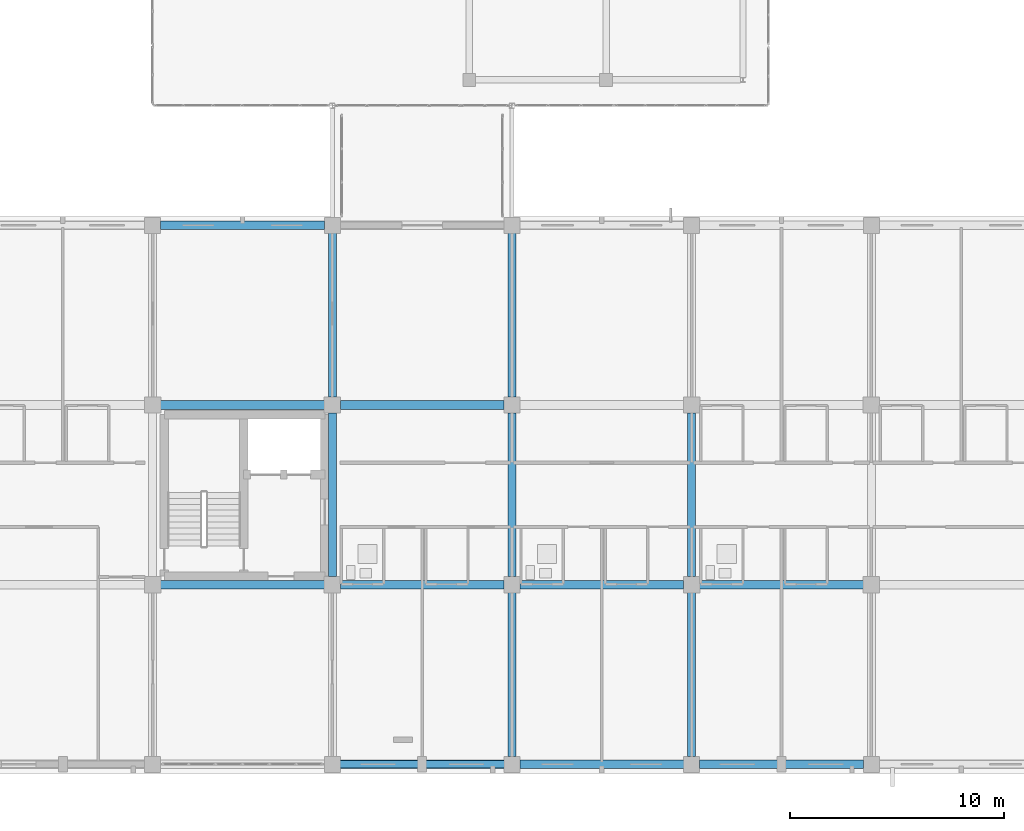
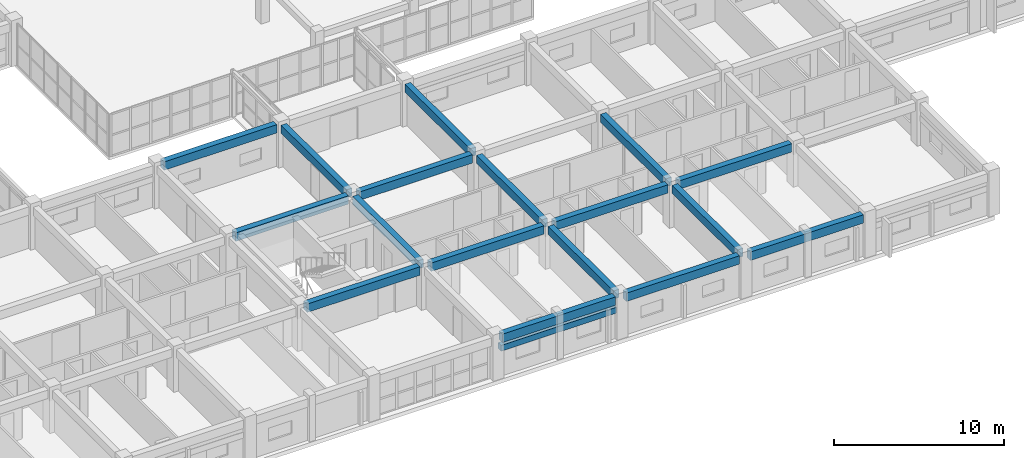
# One storey, part 53 of 200: 18 beams.
"""IFC4 building model written with IfcOpenShell, lengths in metres."""

from ifc_helpers import new_model, si_unit, direction, frame, origin, origin_2d, place, context, subcontext, project, spatial, rectangle, extrude, material, material_profile, profile_set, type_object, element, save


model = new_model("IFC4")

# Units and contexts
model_context = context("Model", 3, precision=1e-05, world=origin(), true_north=direction((0.0, 1.0)))
body_context = subcontext(model_context, "Body", "Model", "MODEL_VIEW")
ifc_project = project(units=[si_unit("LENGTHUNIT", "METRE"), si_unit("AREAUNIT", "SQUARE_METRE"), si_unit("VOLUMEUNIT", "CUBIC_METRE"), si_unit("PLANEANGLEUNIT", "RADIAN"), si_unit("MASSUNIT", "GRAM", prefix="KILO")], contexts=[model_context])

# Site, building, storey
site_placement = place(None, origin())
site = spatial("IfcSite", under=ifc_project, at=site_placement, CompositionType="ELEMENT")
building_placement = place(site_placement, origin())
building = spatial("IfcBuilding", under=site, at=building_placement, Name="Trelvath General Hospital", CompositionType="ELEMENT")
storey_placement = place(building_placement, frame((0.0, 0.0, 4.800048828125)))
storey = spatial("IfcBuildingStorey", under=building, at=storey_placement, Name="L01", CompositionType="ELEMENT", Elevation=4.800048828125)

# Beams
ifc_material_1 = material(Name="Concrete C35/45", Category="concrete")
ifc_material_profile_1 = material_profile(ifc_material_1, rectangle(XDim=0.3798828125, YDim=0.580078125, at=origin_2d()), Name="RCB380x580")
ifc_profile_set_1 = profile_set([ifc_material_profile_1], Name="Concrete C35/45")
beam_type_1 = type_object("IfcBeamType", Name="Beam RC380x580", PredefinedType="BEAM", material=ifc_profile_set_1)
beam_1_placement = place(storey_placement, frame((100.800048828125, 8.77490234375, 2.72998046875), z_axis=(0.0, 1.0, 0.0), x_axis=(-1.0, 0.0, 0.0)))
element("IfcBeam", 1, at=beam_1_placement, inside=storey, type_object=beam_type_1, Name="Grid Beam BY-112B", PredefinedType="BEAM", context=body_context, shape_type="SweptSolid", body=[
    extrude(rectangle(XDim=0.3798828125, YDim=0.580078125, at=origin_2d()), origin(), (0.0, 0.0, 1.0), 7.650146484375),
])
beam_2_placement = place(storey_placement, frame((100.800048828125, 17.175048828125, 2.72998046875), z_axis=(0.0, 1.0, 0.0), x_axis=(-1.0, 0.0, 0.0)))
element("IfcBeam", 2, at=beam_2_placement, inside=storey, type_object=beam_type_1, Name="Grid Beam BY-112C", PredefinedType="BEAM", context=body_context, shape_type="SweptSolid", body=[
    extrude(rectangle(XDim=0.3798828125, YDim=0.580078125, at=origin_2d()), origin(), (0.0, 0.0, 1.0), 7.655029296875),
])
beam_3_placement = place(storey_placement, frame((109.199951171875, 0.3701171875, 2.72998046875), z_axis=(0.0, 1.0, 0.0), x_axis=(-1.0, 0.0, 0.0)))
element("IfcBeam", 3, at=beam_3_placement, inside=storey, type_object=beam_type_1, Name="Grid Beam BY-113A", PredefinedType="BEAM", context=body_context, shape_type="SweptSolid", body=[
    extrude(rectangle(XDim=0.3798828125, YDim=0.580078125, at=origin_2d()), origin(), (0.0, 0.0, 1.0), 7.65478515625),
])
beam_4_placement = place(storey_placement, frame((109.199951171875, 8.77490234375, 2.72998046875), z_axis=(0.0, 1.0, 0.0), x_axis=(-1.0, 0.0, 0.0)))
element("IfcBeam", 4, at=beam_4_placement, inside=storey, type_object=beam_type_1, Name="Grid Beam BY-113B", PredefinedType="BEAM", context=body_context, shape_type="SweptSolid", body=[
    extrude(rectangle(XDim=0.3798828125, YDim=0.580078125, at=origin_2d()), origin(), (0.0, 0.0, 1.0), 7.650146484375),
])
beam_5_placement = place(storey_placement, frame((109.199951171875, 17.175048828125, 2.72998046875), z_axis=(0.0, 1.0, 0.0), x_axis=(-1.0, 0.0, 0.0)))
element("IfcBeam", 5, at=beam_5_placement, inside=storey, type_object=beam_type_1, Name="Grid Beam BY-113C", PredefinedType="BEAM", context=body_context, shape_type="SweptSolid", body=[
    extrude(rectangle(XDim=0.3798828125, YDim=0.580078125, at=origin_2d()), origin(), (0.0, 0.0, 1.0), 7.655029296875),
])
beam_6_placement = place(storey_placement, frame((117.60009765625, 0.3701171875, 2.72998046875), z_axis=(0.0, 1.0, 0.0), x_axis=(-1.0, 0.0, 0.0)))
element("IfcBeam", 6, at=beam_6_placement, inside=storey, type_object=beam_type_1, Name="Grid Beam BY-114A", PredefinedType="BEAM", context=body_context, shape_type="SweptSolid", body=[
    extrude(rectangle(XDim=0.3798828125, YDim=0.580078125, at=origin_2d()), origin(), (0.0, 0.0, 1.0), 7.65478515625),
])
beam_7_placement = place(storey_placement, frame((117.60009765625, 8.77490234375, 2.72998046875), z_axis=(0.0, 1.0, 0.0), x_axis=(-1.0, 0.0, 0.0)))
element("IfcBeam", 7, at=beam_7_placement, inside=storey, type_object=beam_type_1, Name="Grid Beam BY-114B", PredefinedType="BEAM", context=body_context, shape_type="SweptSolid", body=[
    extrude(rectangle(XDim=0.3798828125, YDim=0.580078125, at=origin_2d()), origin(), (0.0, 0.0, 1.0), 7.650146484375),
])
ifc_material_2 = material(Name="Concrete C35/45", Category="concrete")
ifc_material_profile_2 = material_profile(ifc_material_2, rectangle(XDim=0.39990234375, YDim=0.60009765625, at=origin_2d()), Name="RCB400x600")
ifc_profile_set_2 = profile_set([ifc_material_profile_2], Name="Concrete C35/45")
beam_type_2 = type_object("IfcBeamType", Name="Beam RC400x600", PredefinedType="BEAM", material=ifc_profile_set_2)
for number, where, z_axis, x_axis, name in (
    (8, (92.77490234375, 8.39990234375, 2.719970703125), (1.0, 0.0, 0.0), (0.0, 1.0, 0.0), "Grid Beam BX-111B"),
    (9, (92.77490234375, 16.800048828125, 2.719970703125), (1.0, 0.0, 0.0), (0.0, 1.0, 0.0), "Grid Beam BX-111C"),
):
    element("IfcBeam", number, at=place(storey_placement, frame(where, z_axis=z_axis, x_axis=x_axis)), inside=storey, type_object=beam_type_2, Name=name, PredefinedType="BEAM", context=body_context, shape_type="SweptSolid", body=[
        extrude(rectangle(XDim=0.39990234375, YDim=0.60009765625, at=origin_2d()), origin(), (0.0, 0.0, 1.0), 7.650146484375),
    ])
beam_8_placement = place(storey_placement, frame((92.77001953125, 25.199951171875, 2.719970703125), z_axis=(1.0, 0.0, 0.0), x_axis=(0.0, 1.0, 0.0)))
element("IfcBeam", 10, at=beam_8_placement, inside=storey, type_object=beam_type_2, Name="Grid Beam BX-111D", PredefinedType="BEAM", context=body_context, shape_type="SweptSolid", body=[
    extrude(rectangle(XDim=0.39990234375, YDim=0.60009765625, at=origin_2d()), origin(), (0.0, 0.0, 1.0), 7.659912109375),
])
beam_9_placement = place(storey_placement, frame((101.169921875, 0.0, 2.719970703125), z_axis=(1.0, 0.0, 0.0), x_axis=(0.0, 1.0, 0.0)))
element("IfcBeam", 11, at=beam_9_placement, inside=storey, type_object=beam_type_2, Name="Grid Beam BX-112A", PredefinedType="BEAM", context=body_context, shape_type="SweptSolid", body=[
    extrude(rectangle(XDim=0.39990234375, YDim=0.60009765625, at=origin_2d()), origin(), (0.0, 0.0, 1.0), 7.66015625),
])
for number, where, z_axis, x_axis, name in (
    (12, (101.175048828125, 8.39990234375, 2.719970703125), (1.0, 0.0, 0.0), (0.0, 1.0, 0.0), "Grid Beam BX-112B"),
    (13, (101.175048828125, 16.800048828125, 2.719970703125), (1.0, 0.0, 0.0), (0.0, 1.0, 0.0), "Grid Beam BX-112C"),
):
    element("IfcBeam", number, at=place(storey_placement, frame(where, z_axis=z_axis, x_axis=x_axis)), inside=storey, type_object=beam_type_2, Name=name, PredefinedType="BEAM", context=body_context, shape_type="SweptSolid", body=[
        extrude(rectangle(XDim=0.39990234375, YDim=0.60009765625, at=origin_2d()), origin(), (0.0, 0.0, 1.0), 7.64990234375),
    ])
beam_10_placement = place(storey_placement, frame((109.570068359375, 0.0, 2.719970703125), z_axis=(1.0, 0.0, 0.0), x_axis=(0.0, 1.0, 0.0)))
element("IfcBeam", 14, at=beam_10_placement, inside=storey, type_object=beam_type_2, Name="Grid Beam BX-113A", PredefinedType="BEAM", context=body_context, shape_type="SweptSolid", body=[
    extrude(rectangle(XDim=0.39990234375, YDim=0.60009765625, at=origin_2d()), origin(), (0.0, 0.0, 1.0), 7.659912109375),
])
beam_11_placement = place(storey_placement, frame((109.574951171875, 8.39990234375, 2.719970703125), z_axis=(1.0, 0.0, 0.0), x_axis=(0.0, 1.0, 0.0)))
element("IfcBeam", 15, at=beam_11_placement, inside=storey, type_object=beam_type_2, Name="Grid Beam BX-113B", PredefinedType="BEAM", context=body_context, shape_type="SweptSolid", body=[
    extrude(rectangle(XDim=0.39990234375, YDim=0.60009765625, at=origin_2d()), origin(), (0.0, 0.0, 1.0), 7.650146484375),
])
beam_12_placement = place(storey_placement, frame((117.969970703125, 0.0, 2.719970703125), z_axis=(1.0, 0.0, 0.0), x_axis=(0.0, 1.0, 0.0)))
element("IfcBeam", 16, at=beam_12_placement, inside=storey, type_object=beam_type_2, Name="Grid Beam BX-114A", PredefinedType="BEAM", context=body_context, shape_type="SweptSolid", body=[
    extrude(rectangle(XDim=0.39990234375, YDim=0.60009765625, at=origin_2d()), origin(), (0.0, 0.0, 1.0), 7.659912109375),
])
beam_13_placement = place(storey_placement, frame((117.97509765625, 8.39990234375, 2.719970703125), z_axis=(1.0, 0.0, 0.0), x_axis=(0.0, 1.0, 0.0)))
element("IfcBeam", 17, at=beam_13_placement, inside=storey, type_object=beam_type_2, Name="Grid Beam BX-114B", PredefinedType="BEAM", context=body_context, shape_type="SweptSolid", body=[
    extrude(rectangle(XDim=0.39990234375, YDim=0.60009765625, at=origin_2d()), origin(), (0.0, 0.0, 1.0), 7.64990234375),
])
ifc_material_3 = material(Name="Precast concrete C40/50", Category="concrete")
ifc_material_profile_3 = material_profile(ifc_material_3, rectangle(XDim=0.35009765625, YDim=0.419921875, at=origin_2d()), Name="PCL350x420")
ifc_profile_set_3 = profile_set([ifc_material_profile_3], Name="Precast concrete C40/50")
beam_type_3 = type_object("IfcBeamType", Name="Lintel PC350x420", PredefinedType="LINTEL", material=ifc_profile_set_3)
beam_14_placement = place(storey_placement, frame((108.909912109375, 0.0, 2.02001953125), z_axis=(-1.0, 0.0, 0.0), x_axis=(0.0, -1.0, 0.0)))
element("IfcBeam", 18, at=beam_14_placement, inside=storey, type_object=beam_type_3, Name="Precast Window Brow Lintel L01-172", PredefinedType="LINTEL", context=body_context, shape_type="SweptSolid", body=[
    extrude(rectangle(XDim=0.35009765625, YDim=0.419921875, at=origin_2d()), origin(), (0.0, 0.0, 1.0), 7.81982421875),
])

save(model, "model.ifc")
